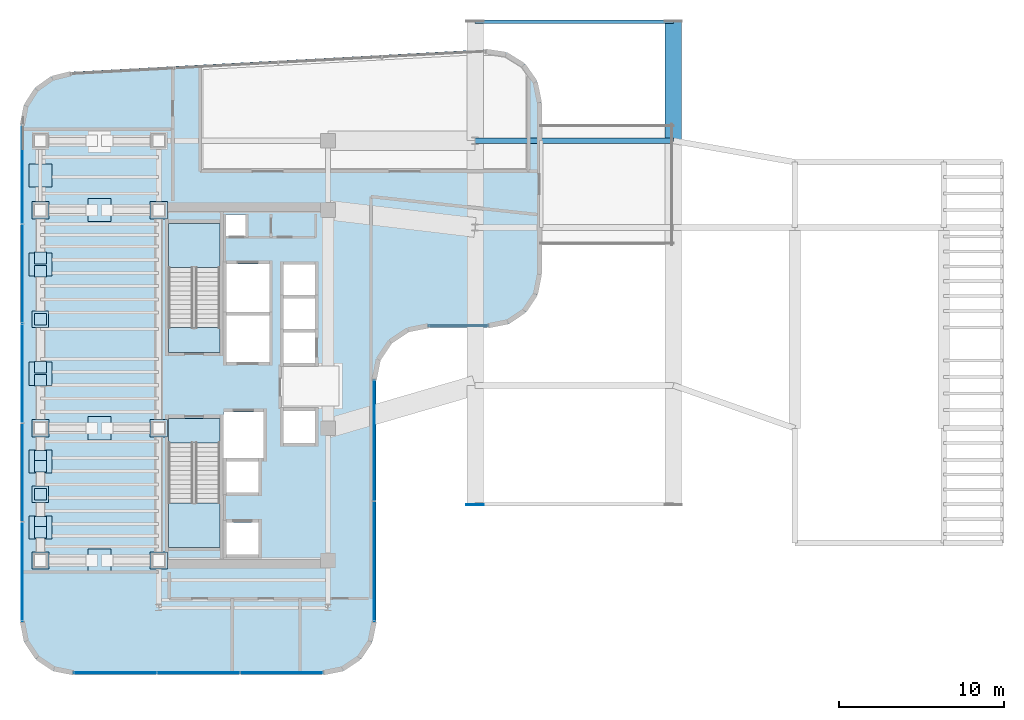
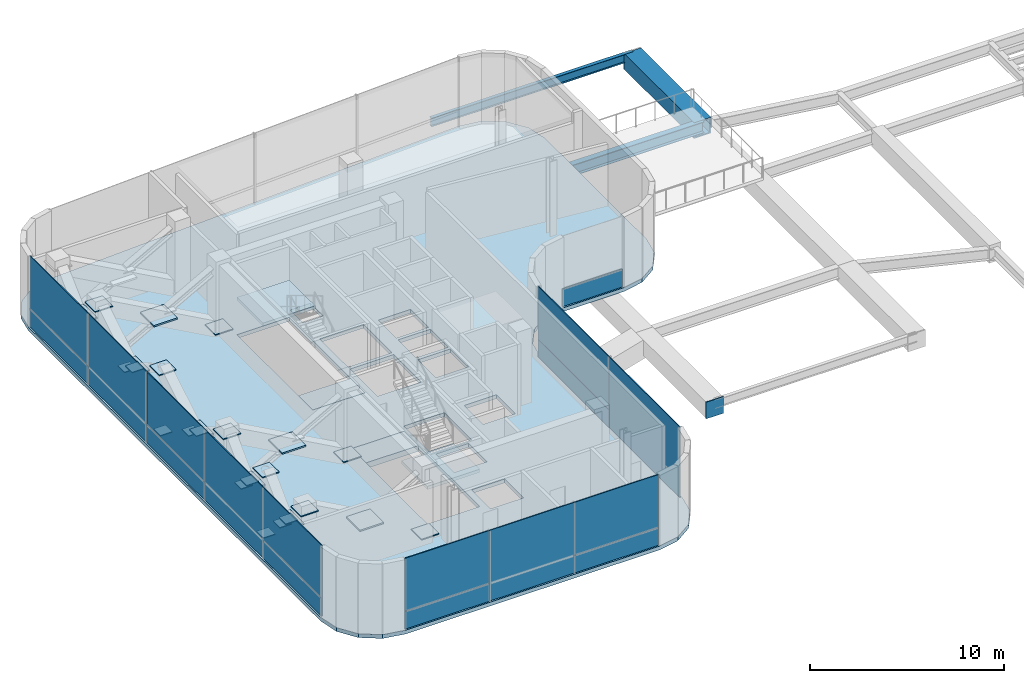
# One storey, part 15 of 20: 44 plates, 5 slabs, 3 beams, 6 elements without a shape of their own.
"""IFC4 building model written with IfcOpenShell, lengths in metres."""

from ifc_helpers import new_model, si_unit, direction, frame, origin, origin_2d, place, context, subcontext, project, spatial, polyline, rectangle, hollow_rectangle, i_section, outline, extrude, source, transform, mapped, material, layer, layer_set, material_profile, profile_set, type_object, element, aggregate, save


model = new_model("IFC4")

# Units and contexts
model_context = context("Model", 3, precision=1e-05, world=origin(), true_north=direction((0.0, 1.0)))
body_context = subcontext(model_context, "Body", "Model", "MODEL_VIEW")
ifc_project = project(units=[si_unit("LENGTHUNIT", "METRE"), si_unit("AREAUNIT", "SQUARE_METRE"), si_unit("VOLUMEUNIT", "CUBIC_METRE"), si_unit("PLANEANGLEUNIT", "RADIAN"), si_unit("MASSUNIT", "GRAM", prefix="KILO")], contexts=[model_context])

# Site, building, storey
site_placement = place(None, origin())
site = spatial("IfcSite", under=ifc_project, at=site_placement, CompositionType="ELEMENT")
building_placement = place(site_placement, origin())
building = spatial("IfcBuilding", under=site, at=building_placement, Name="Valdorenza Pilgrim Sanctuary Tower", CompositionType="ELEMENT")
storey_placement = place(building_placement, frame((0.0, 0.0, 196.300048828125)))
storey = spatial("IfcBuildingStorey", under=building, at=storey_placement, Name="L50", CompositionType="ELEMENT", Elevation=196.300048828125)

# Beams
ifc_material_1 = material(Name="Steel ASTM A572 Grade 42", Category="steel")
ifc_material_profile_1 = material_profile(ifc_material_1, hollow_rectangle(XDim=1.0, YDim=1.0, WallThickness=0.080078125, at=origin_2d()), Name="BOX 1000x1000x80")
ifc_profile_set_1 = profile_set([ifc_material_profile_1], Name="Steel ASTM A572 Grade 42")
beam_type_1 = type_object("IfcBeamType", Name="STR-BM-PROW-CANT", PredefinedType="BEAM", material=ifc_profile_set_1)
shared_shape_1 = source(origin(), body_context, "Body", "SweptSolid", [
    extrude(hollow_rectangle(XDim=1.0, YDim=1.0, WallThickness=0.080078125, at=origin_2d()), origin(), (0.0, 0.0, 1.0), 7.199951171875),
])
beam_1_placement = place(storey_placement, frame((8.5, 14.800048828125, -0.739990234375), z_axis=(0.0, 1.0, 0.0), x_axis=(-1.0, 0.0, 0.0)))
element("IfcBeam", 1, at=beam_1_placement, inside=storey, type_object=beam_type_1, Name="L50 North Sanctuary Prow Cantilever PROW-CANT-N-E", PredefinedType="BEAM", context=body_context, shape_type="MappedRepresentation", body=[
    mapped(shared_shape_1, transform((0.0, 0.0, 0.0), x_axis=(1.0, 0.0, 0.0), y_axis=(0.0, 1.0, 0.0), z_axis=(0.0, 0.0, 1.0), scale=1.0)),
])
ifc_material_2 = material(Name="Steel ASTM A992 Grade 50", Category="steel")
ifc_material_profile_2 = material_profile(ifc_material_2, i_section(OverallWidth=0.2109375, OverallDepth=0.5390625, WebThickness=0.01171875, FlangeThickness=0.018798828125, at=origin_2d()), Name="W21X73")
ifc_profile_set_2 = profile_set([ifc_material_profile_2], Name="Steel ASTM A992 Grade 50")
beam_type_2 = type_object("IfcBeamType", Name="STR-BM-SPN-W21B", PredefinedType="SPANDREL", material=ifc_profile_set_2)
shared_shape_2 = source(origin(), body_context, "Body", "SweptSolid", [
    extrude(i_section(OverallWidth=0.2109375, OverallDepth=0.5390625, WebThickness=0.01171875, FlangeThickness=0.018798828125, at=origin_2d()), origin(), (0.0, 0.0, 1.0), 12.0),
])
beam_2_placement = place(storey_placement, frame((-3.5, 22.0, -0.509521484375), z_axis=(1.0, 0.0, 0.0), x_axis=(0.0, 1.0, 0.0)))
element("IfcBeam", 2, at=beam_2_placement, inside=storey, type_object=beam_type_2, Name="L50 North Prow Tip Spandrel PROW-TIP-N", PredefinedType="SPANDREL", context=body_context, shape_type="MappedRepresentation", body=[
    mapped(shared_shape_2, transform((0.0, 0.0, 0.0), x_axis=(1.0, 0.0, 0.0), y_axis=(0.0, 1.0, 0.0), z_axis=(0.0, 0.0, 1.0), scale=1.0)),
])
ifc_material_profile_3 = material_profile(ifc_material_2, i_section(OverallWidth=0.35595703125, OverallDepth=0.700927734375, WebThickness=0.016845703125, FlangeThickness=0.02734375, at=origin_2d()), Name="W27X161")
ifc_profile_set_3 = profile_set([ifc_material_profile_3], Name="Steel ASTM A992 Grade 50")
beam_type_3 = type_object("IfcBeamType", Name="STR-BM-GRD-W27", PredefinedType="BEAM", material=ifc_profile_set_3)
shared_shape_3 = source(origin(), body_context, "Body", "SweptSolid", [
    extrude(i_section(OverallWidth=0.35595703125, OverallDepth=0.700927734375, WebThickness=0.016845703125, FlangeThickness=0.02734375, at=origin_2d()), origin(), (0.0, 0.0, 1.0), 12.0),
])
beam_3_placement = place(storey_placement, frame((-3.5, 14.800048828125, -0.590576171875), z_axis=(1.0, 0.0, 0.0), x_axis=(0.0, 1.0, 0.0)))
element("IfcBeam", 3, at=beam_3_placement, inside=storey, type_object=beam_type_3, Name="L50 Portal Bridge Span Girder PRY-G2-P14", PredefinedType="BEAM", context=body_context, shape_type="MappedRepresentation", body=[
    mapped(shared_shape_3, transform((0.0, 0.0, 0.0), x_axis=(1.0, 0.0, 0.0), y_axis=(0.0, 1.0, 0.0), z_axis=(0.0, 0.0, 1.0), scale=1.0)),
])

# Slab
ifc_material_3 = material(Name="Concrete C40/50", Category="concrete")
ifc_layer_1 = layer(ifc_material_3, 0.239990234375, Name="Concrete C40/50")
ifc_layer_set_1 = layer_set([ifc_layer_1], Name="Concrete C40/50")
slab_type_1 = type_object("IfcSlabType", Name="SLAB-PLT-240", PredefinedType="FLOOR", material=ifc_layer_set_1)
slab_1_placement = place(storey_placement, frame((0.0, 0.0, -0.239990234375)))
element("IfcSlab", 4, at=slab_1_placement, inside=storey, type_object=slab_type_1, Name="L50 Structural Floor Slab 1", PredefinedType="FLOOR", context=body_context, shape_type="SweptSolid", body=[
    extrude(outline(polyline([(-31.0, 15.76806640625), (-30.772705078125, 16.95263671875), (-30.122802734375, 17.968994140625), (-29.14306640625, 18.672607421875), (-27.972412109375, 18.96337890625), (-2.872314453125, 20.318115234375), (-1.595947265625, 20.126220703125), (-0.4990234375, 19.445556640625), (0.239501953125, 18.386962890625), (0.5, 17.12255859375), (0.5, 6.699951171875), (0.25634765625, 5.475341796875), (-0.437255859375, 4.437255859375), (-1.475341796875, 3.74365234375), (-2.699951171875, 3.5), (-6.300048828125, 3.5), (-7.524658203125, 3.25634765625), (-8.562744140625, 2.562744140625), (-9.25634765625, 1.524658203125), (-9.5, 0.300048828125), (-9.5, -14.300048828125), (-9.74365234375, -15.524658203125), (-10.437255859375, -16.562744140625), (-11.475341796875, -17.25634765625), (-12.699951171875, -17.5), (-27.800048828125, -17.5), (-29.024658203125, -17.25634765625), (-30.062744140625, -16.562744140625), (-30.75634765625, -15.524658203125), (-31.0, -14.300048828125), (-31.0, 15.76806640625)]), holes=[polyline([(-16.60009765625, -8.300048828125), (-18.550048828125, -8.300048828125), (-18.550048828125, -10.25), (-16.60009765625, -10.25), (-16.60009765625, -8.300048828125)]), polyline([(-18.93994140625, -9.800048828125), (-18.93994140625, -3.485107421875), (-18.93994140625, -2.0), (-22.050048828125, -2.0), (-22.050048828125, -3.485107421875), (-22.050048828125, -9.800048828125), (-18.93994140625, -9.800048828125)]), polyline([(-16.60009765625, -6.5), (-16.60009765625, -4.60009765625), (-18.550048828125, -4.60009765625), (-18.550048828125, -6.5), (-16.60009765625, -6.5)]), polyline([(-22.050048828125, 2.0), (-18.93994140625, 2.0), (-18.93994140625, 3.485107421875), (-18.93994140625, 9.800048828125), (-22.050048828125, 9.800048828125), (-22.050048828125, 3.485107421875), (-22.050048828125, 2.0)]), polyline([(-17.360107421875, 9.030029296875), (-17.360107421875, 10.35009765625), (-18.570068359375, 10.35009765625), (-18.570068359375, 9.030029296875), (-17.360107421875, 9.030029296875)]), polyline([(-16.300048828125, -1.60009765625), (-18.719970703125, -1.60009765625), (-18.719970703125, -4.39990234375), (-16.300048828125, -4.39990234375), (-16.300048828125, -1.60009765625)]), polyline([(-13.179931640625, -3.5), (-13.179931640625, -1.550048828125), (-15.10009765625, -1.550048828125), (-15.10009765625, -3.5), (-13.179931640625, -3.5)]), polyline([(-13.179931640625, 1.35009765625), (-13.179931640625, 3.199951171875), (-15.10009765625, 3.199951171875), (-15.10009765625, 1.35009765625), (-13.179931640625, 1.35009765625)]), polyline([(-15.949951171875, 1.39990234375), (-15.949951171875, 4.22509765625), (-18.550048828125, 4.22509765625), (-18.550048828125, 1.39990234375), (-15.949951171875, 1.39990234375)]), polyline([(-13.179931640625, 3.39990234375), (-13.179931640625, 5.25), (-15.10009765625, 5.25), (-15.10009765625, 3.39990234375), (-13.179931640625, 3.39990234375)]), polyline([(-15.949951171875, 4.425048828125), (-15.949951171875, 7.35009765625), (-18.550048828125, 7.35009765625), (-18.550048828125, 4.425048828125), (-15.949951171875, 4.425048828125)]), polyline([(-13.179931640625, 5.449951171875), (-13.179931640625, 7.300048828125), (-15.10009765625, 7.300048828125), (-15.10009765625, 5.449951171875), (-13.179931640625, 5.449951171875)])]), origin(), (0.0, 0.0, 1.0), 0.239990234375),
])

# Stair, slab
stair_type = type_object("IfcStairType", Name="STR-DOG-CORE", PredefinedType="HALF_TURN_STAIR", material=ifc_material_3)
stair_1_placement = place(storey_placement, origin())
stair_1 = element("IfcStair", 5, at=stair_1_placement, inside=storey, type_object=stair_type, Name="L50 ST-A1", PredefinedType="HALF_TURN_STAIR")
ifc_layer_2 = layer(ifc_material_3, 0.199951171875, Name="Concrete C40/50")
ifc_layer_set_2 = layer_set([ifc_layer_2], Name="Concrete C40/50")
slab_type_2 = type_object("IfcSlabType", Name="SLAB-STL-200", PredefinedType="LANDING", material=ifc_layer_set_2)
slab_2_placement = place(storey_placement, frame((0.0, 0.0, 2.14990234375)))
slab_2 = element("IfcSlab", 6, at=slab_2_placement, type_object=slab_type_2, Name="ST-A1 landing 1", PredefinedType="LANDING", context=body_context, shape_type="SweptSolid", body=[
    extrude(outline(polyline([(-18.93994140625, 7.1201171875), (-18.93994140625, 9.800048828125), (-22.050048828125, 9.800048828125), (-22.050048828125, 7.1201171875), (-18.93994140625, 7.1201171875)])), origin(), (0.0, 0.0, 1.0), 0.199951171875),
])
aggregate(stair_1, [slab_2])

stair_2_placement = place(storey_placement, origin())
stair_2 = element("IfcStair", 7, at=stair_2_placement, inside=storey, type_object=stair_type, Name="L50 ST-A2", PredefinedType="HALF_TURN_STAIR")
slab_3_placement = place(storey_placement, frame((0.0, 0.0, 2.14990234375)))
slab_3 = element("IfcSlab", 8, at=slab_3_placement, type_object=slab_type_2, Name="ST-A2 landing 1", PredefinedType="LANDING", context=body_context, shape_type="SweptSolid", body=[
    extrude(outline(polyline([(-22.050048828125, -7.1201171875), (-22.050048828125, -9.800048828125), (-18.93994140625, -9.800048828125), (-18.93994140625, -7.1201171875), (-22.050048828125, -7.1201171875)])), origin(), (0.0, 0.0, 1.0), 0.199951171875),
])
aggregate(stair_2, [slab_3])

# Slabs
ifc_material_4 = material(Name="Concrete C50/60", Category="concrete")
ifc_layer_3 = layer(ifc_material_4, 0.39990234375, Name="Concrete C50/60")
ifc_layer_set_3 = layer_set([ifc_layer_3], Name="Concrete C50/60")
slab_type_3 = type_object("IfcSlabType", Name="SLAB-TRF-400", PredefinedType="FLOOR", material=ifc_layer_set_3)
slab_4_placement = place(storey_placement, frame((0.0, 0.0, -0.360107421875)))
element("IfcSlab", 9, at=slab_4_placement, inside=storey, type_object=slab_type_3, Name="L50 ST-A1 Structural Stair Landing Bearing Slab", PredefinedType="FLOOR", context=body_context, shape_type="SweptSolid", body=[
    extrude(outline(polyline([(-22.050048828125, 2.0), (-18.93994140625, 2.0), (-18.93994140625, 3.485107421875), (-22.050048828125, 3.485107421875), (-22.050048828125, 2.0)])), origin(), (0.0, 0.0, 1.0), 0.360107421875),
])
slab_5_placement = place(storey_placement, frame((0.0, 0.0, -0.360107421875)))
element("IfcSlab", 10, at=slab_5_placement, inside=storey, type_object=slab_type_3, Name="L50 ST-A2 Structural Stair Landing Bearing Slab", PredefinedType="FLOOR", context=body_context, shape_type="SweptSolid", body=[
    extrude(outline(polyline([(-22.050048828125, -3.485107421875), (-18.93994140625, -3.485107421875), (-18.93994140625, -2.0), (-22.050048828125, -2.0), (-22.050048828125, -3.485107421875)])), origin(), (0.0, 0.0, 1.0), 0.360107421875),
])

# Plates
ifc_layer_4 = layer(ifc_material_1, 0.06005859375, Name="Steel ASTM A572 Grade 42")
ifc_layer_set_4 = layer_set([ifc_layer_4], Name="Steel ASTM A572 Grade 42")
plate_type_1 = type_object("IfcPlateType", Name="PLT-CAP-60", PredefinedType="SHEET", material=ifc_layer_set_4)
shared_shape_4 = source(origin(), body_context, "Body", "SweptSolid", [
    extrude(rectangle(XDim=1.0400390625, YDim=0.06005859375, at=origin_2d()), origin(), (0.0, 0.0, 1.0), 1.0400390625),
])
plate_1_placement = place(storey_placement, frame((-3.5, -7.22998046875, -1.260009765625), z_axis=(0.0, 0.0, 1.0), x_axis=(1.0, 0.0, 0.0)))
element("IfcPlate", 11, at=plate_1_placement, inside=storey, type_object=plate_type_1, Name="L50 South Prow Cantilever End Cap W", PredefinedType="SHEET", context=body_context, shape_type="MappedRepresentation", body=[
    mapped(shared_shape_4, transform((0.0, 0.0, 0.0), x_axis=(1.0, 0.0, 0.0), y_axis=(0.0, 1.0, 0.0), z_axis=(0.0, 0.0, 1.0), scale=1.0)),
])
shared_shape_5 = source(origin(), body_context, "Body", "SweptSolid", [
    extrude(rectangle(XDim=1.050048828125, YDim=1.050048828125, at=origin_2d()), origin(), (0.0, 0.0, 1.0), 0.06005859375),
])
for number, where, z_axis, x_axis, name in (
    (12, (-22.64990234375, -10.60009765625, 0.169921875), (0.0, 0.0, 1.0), (1.0, 0.0, 0.0), "L50 Outrigger Truss Diagonal WA1A End Connection Plate 1"),
    (13, (-29.800048828125, -10.60009765625, 4.119873046875), (0.0, 0.0, 1.0), (1.0, 0.0, 0.0), "L50 Outrigger Truss Diagonal WA1A End Connection Plate 2"),
    (14, (-22.64990234375, -2.60009765625, 0.169921875), (0.0, 0.0, 1.0), (1.0, 0.0, 0.0), "L50 Outrigger Truss Diagonal WA2A End Connection Plate 1"),
    (15, (-29.800048828125, -2.60009765625, 4.119873046875), (0.0, 0.0, 1.0), (1.0, 0.0, 0.0), "L50 Outrigger Truss Diagonal WA2A End Connection Plate 2"),
    (16, (-22.64990234375, 10.60009765625, 0.169921875), (0.0, 0.0, 1.0), (1.0, 0.0, 0.0), "L50 Outrigger Truss Diagonal WA3A End Connection Plate 1"),
    (17, (-29.800048828125, 10.60009765625, 4.119873046875), (0.0, 0.0, 1.0), (1.0, 0.0, 0.0), "L50 Outrigger Truss Diagonal WA3A End Connection Plate 2"),
):
    element("IfcPlate", number, at=place(storey_placement, frame(where, z_axis=z_axis, x_axis=x_axis)), inside=storey, type_object=plate_type_1, Name=name, PredefinedType="SHEET", context=body_context, shape_type="MappedRepresentation", body=[
        mapped(shared_shape_5, transform((0.0, 0.0, 0.0), x_axis=(1.0, 0.0, 0.0), y_axis=(0.0, 1.0, 0.0), z_axis=(0.0, 0.0, 1.0), scale=1.0)),
    ])
ifc_layer_5 = layer(ifc_material_1, 0.090087890625, Name="Steel ASTM A572 Grade 42")
ifc_layer_set_5 = layer_set([ifc_layer_5], Name="Steel ASTM A572 Grade 42")
plate_type_2 = type_object("IfcPlateType", Name="PLT-GUS-90", PredefinedType="USERDEFINED", material=ifc_layer_set_5)
shared_shape_6 = source(origin(), body_context, "Body", "SweptSolid", [
    extrude(rectangle(XDim=1.39990234375, YDim=1.39990234375, at=origin_2d()), origin(), (0.0, 0.0, 1.0), 0.090087890625),
])
for number, where, z_axis, x_axis, name in (
    (18, (-26.22509765625, -10.60009765625, 2.1298828125), (0.0, 0.0, 1.0), (1.0, 0.0, 0.0), "Truss X-Brace Node Gusset Assembly ON-01 (MB-OUT-L50-WA1A)"),
    (19, (-26.22509765625, -2.60009765625, 2.1298828125), (0.0, 0.0, 1.0), (1.0, 0.0, 0.0), "Truss X-Brace Node Gusset Assembly ON-01 (MB-OUT-L50-WA2A)"),
    (20, (-26.22509765625, 10.60009765625, 2.1298828125), (0.0, 0.0, 1.0), (1.0, 0.0, 0.0), "Truss X-Brace Node Gusset Assembly ON-01 (MB-OUT-L50-WA3A)"),
    (21, (-29.800048828125, -8.60009765625, 2.1298828125), (0.0, 0.0, 1.0), (1.0, 0.0, 0.0), "Truss X-Brace Node Gusset Assembly BN-01 (MB-BLT-L50-W1)"),
    (22, (-29.800048828125, -4.60009765625, 2.1298828125), (0.0, 0.0, 1.0), (1.0, 0.0, 0.0), "Truss X-Brace Node Gusset Assembly BN-01 (MB-BLT-L50-W2)"),
    (23, (-29.800048828125, 0.699951171875, 2.1298828125), (0.0, 0.0, 1.0), (1.0, 0.0, 0.0), "Truss X-Brace Node Gusset Assembly BN-01 (MB-BLT-L50-W3)"),
    (24, (-29.800048828125, 7.300048828125, 2.1298828125), (0.0, 0.0, 1.0), (1.0, 0.0, 0.0), "Truss X-Brace Node Gusset Assembly BN-01 (MB-BLT-L50-W4)"),
    (25, (-29.800048828125, 12.699951171875, 2.1298828125), (0.0, 0.0, 1.0), (1.0, 0.0, 0.0), "Truss Node Gusset Assembly BN-01 (MB-BLT-L50-W5)"),
):
    element("IfcPlate", number, at=place(storey_placement, frame(where, z_axis=z_axis, x_axis=x_axis)), inside=storey, type_object=plate_type_2, Name=name, ObjectType="GUSSET PLATE", PredefinedType="USERDEFINED", context=body_context, shape_type="MappedRepresentation", body=[
        mapped(shared_shape_6, transform((0.0, 0.0, 0.0), x_axis=(1.0, 0.0, 0.0), y_axis=(0.0, 1.0, 0.0), z_axis=(0.0, 0.0, 1.0), scale=1.0)),
    ])
shared_shape_7 = source(origin(), body_context, "Body", "SweptSolid", [
    extrude(rectangle(XDim=1.0, YDim=1.0, at=origin_2d()), origin(), (0.0, 0.0, 1.0), 0.06005859375),
])
for number, where, z_axis, x_axis, name in (
    (26, (-29.800048828125, -6.60009765625, 4.119873046875), (0.0, 0.0, 1.0), (1.0, 0.0, 0.0), "L50 Perimeter Belt Truss Diagonal W1 End Connection Plate 2"),
    (27, (-29.800048828125, 4.0, 4.119873046875), (0.0, 0.0, 1.0), (1.0, 0.0, 0.0), "L50 Perimeter Belt Truss Diagonal W3 End Connection Plate 2"),
):
    element("IfcPlate", number, at=place(storey_placement, frame(where, z_axis=z_axis, x_axis=x_axis)), inside=storey, type_object=plate_type_1, Name=name, PredefinedType="SHEET", context=body_context, shape_type="MappedRepresentation", body=[
        mapped(shared_shape_7, transform((0.0, 0.0, 0.0), x_axis=(1.0, 0.0, 0.0), y_axis=(0.0, 1.0, 0.0), z_axis=(0.0, 0.0, 1.0), scale=1.0)),
    ])
shared_shape_8 = source(origin(), body_context, "Body", "SweptSolid", [
    extrude(rectangle(XDim=0.7080078125, YDim=0.7080078125, at=origin_2d()), origin(), (0.0, 0.0, 1.0), 0.06005859375),
])
for number, where, z_axis, x_axis, name in (
    (28, (-29.800048828125, -8.893310546875, 2.434326171875), (0.0, 0.0, 1.0), (1.0, 0.0, 0.0), "L50 Perimeter Counter-Belt Strut CW1 Lower Segment End Connection Plate 2"),
    (29, (-29.800048828125, -8.306884765625, 1.85546875), (0.0, 0.0, 1.0), (1.0, 0.0, 0.0), "L50 Perimeter Counter-Belt Strut CW1 Upper Segment End Connection Plate 1"),
    (30, (-29.800048828125, -6.60009765625, 0.169921875), (0.0, 0.0, 1.0), (1.0, 0.0, 0.0), "L50 Perimeter Counter-Belt Strut CW1 Upper Segment End Connection Plate 2"),
    (31, (-29.800048828125, -4.893310546875, 2.434326171875), (0.0, 0.0, 1.0), (1.0, 0.0, 0.0), "L50 Perimeter Counter-Belt Strut CW2 Lower Segment End Connection Plate 2"),
    (32, (-29.800048828125, -4.306884765625, 1.85546875), (0.0, 0.0, 1.0), (1.0, 0.0, 0.0), "L50 Perimeter Counter-Belt Strut CW2 Upper Segment End Connection Plate 1"),
    (33, (-29.800048828125, 0.30029296875, 2.38427734375), (0.0, 0.0, 1.0), (1.0, 0.0, 0.0), "L50 Perimeter Counter-Belt Strut CW3 Lower Segment End Connection Plate 2"),
    (34, (-29.800048828125, 1.099853515625, 1.905517578125), (0.0, 0.0, 1.0), (1.0, 0.0, 0.0), "L50 Perimeter Counter-Belt Strut CW3 Upper Segment End Connection Plate 1"),
    (35, (-29.800048828125, 4.0, 0.169921875), (0.0, 0.0, 1.0), (1.0, 0.0, 0.0), "L50 Perimeter Counter-Belt Strut CW3 Upper Segment End Connection Plate 2"),
    (36, (-29.800048828125, 6.900146484375, 2.38427734375), (0.0, 0.0, 1.0), (1.0, 0.0, 0.0), "L50 Perimeter Counter-Belt Strut CW4 Lower Segment End Connection Plate 2"),
    (37, (-29.800048828125, 7.69970703125, 1.905517578125), (0.0, 0.0, 1.0), (1.0, 0.0, 0.0), "L50 Perimeter Counter-Belt Strut CW4 Upper Segment End Connection Plate 1"),
):
    element("IfcPlate", number, at=place(storey_placement, frame(where, z_axis=z_axis, x_axis=x_axis)), inside=storey, type_object=plate_type_1, Name=name, PredefinedType="SHEET", context=body_context, shape_type="MappedRepresentation", body=[
        mapped(shared_shape_8, transform((0.0, 0.0, 0.0), x_axis=(1.0, 0.0, 0.0), y_axis=(0.0, 1.0, 0.0), z_axis=(0.0, 0.0, 1.0), scale=1.0)),
    ])

# Curtain wall, plates
ifc_material_5 = material(Name="Curtain-wall IGU glazing", Category="glass")
curtain_wall_type = type_object("IfcCurtainWallType", Name="CW-SYS-02", PredefinedType="NOTDEFINED", material=ifc_material_5)
curtain_wall_1_placement = place(storey_placement, origin())
curtain_wall_1 = element("IfcCurtainWall", 38, at=curtain_wall_1_placement, inside=storey, type_object=curtain_wall_type, Name="L50 Curtain Wall CW-L50-1-26", PredefinedType="NOTDEFINED")
ifc_material_6 = material(Name="Honed travertine limestone", Category="masonry")
ifc_layer_6 = layer(ifc_material_6, 0.050048828125, Name="Honed travertine limestone")
ifc_layer_set_6 = layer_set([ifc_layer_6], Name="Honed travertine limestone")
plate_type_3 = type_object("IfcPlateType", Name="CW-SPN-TRV", PredefinedType="USERDEFINED", material=ifc_layer_set_6)
shared_shape_9 = source(origin(), body_context, "Body", "SweptSolid", [
    extrude(rectangle(XDim=5.006103515625, YDim=0.06005859375, at=origin_2d()), origin(), (0.0, 0.0, 1.0), 1.10009765625),
])
plate_2_placement = place(storey_placement, frame((-15.223876953125, -17.389892578125, 0.010009765625), z_axis=(0.0, 0.0, 1.0), x_axis=(-1.0, 0.0, 0.0)))
plate_2 = element("IfcPlate", 39, at=plate_2_placement, type_object=plate_type_3, Name="CW-L50-1-26 Travertine Spandrel 1", ObjectType="SPANDREL", PredefinedType="USERDEFINED", context=body_context, shape_type="MappedRepresentation", body=[
    mapped(shared_shape_9, transform((0.0, 0.0, 0.0), x_axis=(1.0, 0.0, 0.0), y_axis=(0.0, 1.0, 0.0), z_axis=(0.0, 0.0, 1.0), scale=1.0)),
])
plate_3_placement = place(storey_placement, frame((-25.276123046875, -17.389892578125, 0.010009765625), z_axis=(0.0, 0.0, 1.0), x_axis=(-1.0, 0.0, 0.0)))
plate_3 = element("IfcPlate", 40, at=plate_3_placement, type_object=plate_type_3, Name="CW-L50-1-26 Travertine Spandrel 3", ObjectType="SPANDREL", PredefinedType="USERDEFINED", context=body_context, shape_type="MappedRepresentation", body=[
    mapped(shared_shape_9, transform((0.0, 0.0, 0.0), x_axis=(1.0, 0.0, 0.0), y_axis=(0.0, 1.0, 0.0), z_axis=(0.0, 0.0, 1.0), scale=1.0)),
])

curtain_wall_2_placement = place(storey_placement, origin())
curtain_wall_2 = element("IfcCurtainWall", 41, at=curtain_wall_2_placement, inside=storey, type_object=curtain_wall_type, Name="L50 Curtain Wall CW-L50-1-1", PredefinedType="NOTDEFINED")
shared_shape_10 = source(origin(), body_context, "Body", "SweptSolid", [
    extrude(rectangle(XDim=5.9892578125, YDim=0.06005859375, at=origin_2d()), origin(), (0.0, 0.0, 1.0), 1.10009765625),
])
plate_4_placement = place(storey_placement, frame((-30.889892578125, -11.284423828125, 0.010009765625), z_axis=(0.0, 0.0, 1.0), x_axis=(0.0, 1.0, 0.0)))
plate_4 = element("IfcPlate", 42, at=plate_4_placement, type_object=plate_type_3, Name="CW-L50-1-1 Travertine Spandrel 1", ObjectType="SPANDREL", PredefinedType="USERDEFINED", context=body_context, shape_type="MappedRepresentation", body=[
    mapped(shared_shape_10, transform((0.0, 0.0, 0.0), x_axis=(1.0, 0.0, 0.0), y_axis=(0.0, 1.0, 0.0), z_axis=(0.0, 0.0, 1.0), scale=1.0)),
])
plate_5_placement = place(storey_placement, frame((-30.889892578125, 0.734130859375, 0.010009765625), z_axis=(0.0, 0.0, 1.0), x_axis=(0.0, 1.0, 0.0)))
plate_5 = element("IfcPlate", 43, at=plate_5_placement, type_object=plate_type_3, Name="CW-L50-1-1 Travertine Spandrel 3", ObjectType="SPANDREL", PredefinedType="USERDEFINED", context=body_context, shape_type="MappedRepresentation", body=[
    mapped(shared_shape_10, transform((0.0, 0.0, 0.0), x_axis=(1.0, 0.0, 0.0), y_axis=(0.0, 1.0, 0.0), z_axis=(0.0, 0.0, 1.0), scale=1.0)),
])
plate_6_placement = place(storey_placement, frame((-30.889892578125, 12.752685546875, 0.010009765625), z_axis=(0.0, 0.0, 1.0), x_axis=(0.0, 1.0, 0.0)))
plate_6 = element("IfcPlate", 44, at=plate_6_placement, type_object=plate_type_3, Name="CW-L50-1-1 Travertine Spandrel 5", ObjectType="SPANDREL", PredefinedType="USERDEFINED", context=body_context, shape_type="MappedRepresentation", body=[
    mapped(shared_shape_10, transform((0.0, 0.0, 0.0), x_axis=(1.0, 0.0, 0.0), y_axis=(0.0, 1.0, 0.0), z_axis=(0.0, 0.0, 1.0), scale=1.0)),
])
ifc_material_7 = material(Name="Champagne anodised aluminium", Category="aluminium")
ifc_layer_7 = layer(ifc_material_7, 0.080078125, Name="Champagne anodised aluminium")
ifc_layer_set_7 = layer_set([ifc_layer_7], Name="Champagne anodised aluminium")
plate_type_4 = type_object("IfcPlateType", Name="LVR-PLT-ALU", PredefinedType="USERDEFINED", material=ifc_layer_set_7)
shared_shape_11 = source(origin(), body_context, "Body", "SweptSolid", [
    extrude(rectangle(XDim=5.9892578125, YDim=0.050048828125, at=origin_2d()), origin(), (0.0, 0.0, 1.0), 3.320068359375),
])
plate_7_placement = place(storey_placement, frame((-30.889892578125, -11.284423828125, 1.1298828125), z_axis=(0.0, 0.0, 1.0), x_axis=(0.0, 1.0, 0.0)))
plate_7 = element("IfcPlate", 45, at=plate_7_placement, type_object=plate_type_4, Name="CW-L50-1-1 Facade Panel 1", ObjectType="LOUVRE", PredefinedType="USERDEFINED", context=body_context, shape_type="MappedRepresentation", body=[
    mapped(shared_shape_11, transform((0.0, 0.0, 0.0), x_axis=(1.0, 0.0, 0.0), y_axis=(0.0, 1.0, 0.0), z_axis=(0.0, 0.0, 1.0), scale=1.0)),
])
plate_8_placement = place(storey_placement, frame((-30.889892578125, 0.734130859375, 1.1298828125), z_axis=(0.0, 0.0, 1.0), x_axis=(0.0, 1.0, 0.0)))
plate_8 = element("IfcPlate", 46, at=plate_8_placement, type_object=plate_type_4, Name="CW-L50-1-1 Facade Panel 3", ObjectType="LOUVRE", PredefinedType="USERDEFINED", context=body_context, shape_type="MappedRepresentation", body=[
    mapped(shared_shape_11, transform((0.0, 0.0, 0.0), x_axis=(1.0, 0.0, 0.0), y_axis=(0.0, 1.0, 0.0), z_axis=(0.0, 0.0, 1.0), scale=1.0)),
])
plate_9_placement = place(storey_placement, frame((-30.889892578125, 12.752685546875, 1.1298828125), z_axis=(0.0, 0.0, 1.0), x_axis=(0.0, 1.0, 0.0)))
plate_9 = element("IfcPlate", 47, at=plate_9_placement, type_object=plate_type_4, Name="CW-L50-1-1 Facade Panel 5", ObjectType="LOUVRE", PredefinedType="USERDEFINED", context=body_context, shape_type="MappedRepresentation", body=[
    mapped(shared_shape_11, transform((0.0, 0.0, 0.0), x_axis=(1.0, 0.0, 0.0), y_axis=(0.0, 1.0, 0.0), z_axis=(0.0, 0.0, 1.0), scale=1.0)),
])
shared_shape_12 = source(origin(), body_context, "Body", "SweptSolid", [
    extrude(rectangle(XDim=5.9892578125, YDim=0.050048828125, at=origin_2d()), origin(), (0.0, 0.0, 1.0), 4.43994140625),
])
plate_10_placement = place(storey_placement, frame((-30.889892578125, -5.275146484375, 0.010009765625), z_axis=(0.0, 0.0, 1.0), x_axis=(0.0, 1.0, 0.0)))
plate_10 = element("IfcPlate", 48, at=plate_10_placement, type_object=plate_type_4, Name="CW-L50-1-1 Full-Height Facade Panel 2", ObjectType="LOUVRE", PredefinedType="USERDEFINED", context=body_context, shape_type="MappedRepresentation", body=[
    mapped(shared_shape_12, transform((0.0, 0.0, 0.0), x_axis=(1.0, 0.0, 0.0), y_axis=(0.0, 1.0, 0.0), z_axis=(0.0, 0.0, 1.0), scale=1.0)),
])
plate_11_placement = place(storey_placement, frame((-30.889892578125, 6.743408203125, 0.010009765625), z_axis=(0.0, 0.0, 1.0), x_axis=(0.0, 1.0, 0.0)))
plate_11 = element("IfcPlate", 49, at=plate_11_placement, type_object=plate_type_4, Name="CW-L50-1-1 Full-Height Facade Panel 4", ObjectType="LOUVRE", PredefinedType="USERDEFINED", context=body_context, shape_type="MappedRepresentation", body=[
    mapped(shared_shape_12, transform((0.0, 0.0, 0.0), x_axis=(1.0, 0.0, 0.0), y_axis=(0.0, 1.0, 0.0), z_axis=(0.0, 0.0, 1.0), scale=1.0)),
])
aggregate(curtain_wall_2, [plate_4, plate_7, plate_10, plate_5, plate_8, plate_11, plate_6, plate_9])

# Curtain wall, plate
curtain_wall_3_placement = place(storey_placement, origin())
curtain_wall_3 = element("IfcCurtainWall", 50, at=curtain_wall_3_placement, inside=storey, type_object=curtain_wall_type, Name="L50 Curtain Wall CW-L50-1-16", PredefinedType="NOTDEFINED")
shared_shape_13 = source(origin(), body_context, "Body", "SweptSolid", [
    extrude(rectangle(XDim=3.580078125, YDim=0.06005859375, at=origin_2d()), origin(), (0.0, 0.0, 1.0), 1.10009765625),
])
plate_12_placement = place(storey_placement, frame((-4.5107421875, 3.610107421875, 0.010009765625), z_axis=(0.0, 0.0, 1.0), x_axis=(-1.0, 0.0, 0.0)))
plate_12 = element("IfcPlate", 51, at=plate_12_placement, type_object=plate_type_3, Name="CW-L50-1-16 Travertine Spandrel 1", ObjectType="SPANDREL", PredefinedType="USERDEFINED", context=body_context, shape_type="MappedRepresentation", body=[
    mapped(shared_shape_13, transform((0.0, 0.0, 0.0), x_axis=(1.0, 0.0, 0.0), y_axis=(0.0, 1.0, 0.0), z_axis=(0.0, 0.0, 1.0), scale=1.0)),
])
aggregate(curtain_wall_3, [plate_12])

# Curtain wall, plates
curtain_wall_4_placement = place(storey_placement, origin())
curtain_wall_4 = element("IfcCurtainWall", 52, at=curtain_wall_4_placement, inside=storey, type_object=curtain_wall_type, Name="L50 Curtain Wall CW-L50-1-21", PredefinedType="NOTDEFINED")
shared_shape_14 = source(origin(), body_context, "Body", "SweptSolid", [
    extrude(rectangle(XDim=7.280029296875, YDim=0.06005859375, at=origin_2d()), origin(), (0.0, 0.0, 1.0), 1.10009765625),
])
plate_13_placement = place(storey_placement, frame((-9.610107421875, -3.339111328125, 0.010009765625), z_axis=(0.0, 0.0, 1.0), x_axis=(0.0, -1.0, 0.0)))
plate_13 = element("IfcPlate", 53, at=plate_13_placement, type_object=plate_type_3, Name="CW-L50-1-21 Travertine Spandrel 1", ObjectType="SPANDREL", PredefinedType="USERDEFINED", context=body_context, shape_type="MappedRepresentation", body=[
    mapped(shared_shape_14, transform((0.0, 0.0, 0.0), x_axis=(1.0, 0.0, 0.0), y_axis=(0.0, 1.0, 0.0), z_axis=(0.0, 0.0, 1.0), scale=1.0)),
])
shared_shape_15 = source(origin(), body_context, "Body", "SweptSolid", [
    extrude(rectangle(XDim=7.280029296875, YDim=0.050048828125, at=origin_2d()), origin(), (0.0, 0.0, 1.0), 3.320068359375),
])
plate_14_placement = place(storey_placement, frame((-9.610107421875, -3.339111328125, 1.1298828125), z_axis=(0.0, 0.0, 1.0), x_axis=(0.0, -1.0, 0.0)))
plate_14 = element("IfcPlate", 54, at=plate_14_placement, type_object=plate_type_4, Name="CW-L50-1-21 Facade Panel 1", ObjectType="LOUVRE", PredefinedType="USERDEFINED", context=body_context, shape_type="MappedRepresentation", body=[
    mapped(shared_shape_15, transform((0.0, 0.0, 0.0), x_axis=(1.0, 0.0, 0.0), y_axis=(0.0, 1.0, 0.0), z_axis=(0.0, 0.0, 1.0), scale=1.0)),
])
shared_shape_16 = source(origin(), body_context, "Body", "SweptSolid", [
    extrude(rectangle(XDim=7.280029296875, YDim=0.050048828125, at=origin_2d()), origin(), (0.0, 0.0, 1.0), 4.43994140625),
])
plate_15_placement = place(storey_placement, frame((-9.610107421875, -10.63916015625, 0.010009765625), z_axis=(0.0, 0.0, 1.0), x_axis=(0.0, -1.0, 0.0)))
plate_15 = element("IfcPlate", 55, at=plate_15_placement, type_object=plate_type_4, Name="CW-L50-1-21 Full-Height Facade Panel 2", ObjectType="LOUVRE", PredefinedType="USERDEFINED", context=body_context, shape_type="MappedRepresentation", body=[
    mapped(shared_shape_16, transform((0.0, 0.0, 0.0), x_axis=(1.0, 0.0, 0.0), y_axis=(0.0, 1.0, 0.0), z_axis=(0.0, 0.0, 1.0), scale=1.0)),
])
aggregate(curtain_wall_4, [plate_13, plate_14, plate_15])

# Plate
shared_shape_17 = source(origin(), body_context, "Body", "SweptSolid", [
    extrude(rectangle(XDim=5.006103515625, YDim=0.050048828125, at=origin_2d()), origin(), (0.0, 0.0, 1.0), 3.320068359375),
])
plate_16_placement = place(storey_placement, frame((-15.223876953125, -17.389892578125, 1.1298828125), z_axis=(0.0, 0.0, 1.0), x_axis=(-1.0, 0.0, 0.0)))
plate_16 = element("IfcPlate", 56, at=plate_16_placement, type_object=plate_type_4, Name="CW-L50-1-26 Facade Panel 1", ObjectType="LOUVRE", PredefinedType="USERDEFINED", context=body_context, shape_type="MappedRepresentation", body=[
    mapped(shared_shape_17, transform((0.0, 0.0, 0.0), x_axis=(1.0, 0.0, 0.0), y_axis=(0.0, 1.0, 0.0), z_axis=(0.0, 0.0, 1.0), scale=1.0)),
])

plate_17_placement = place(storey_placement, frame((-25.276123046875, -17.389892578125, 1.1298828125), z_axis=(0.0, 0.0, 1.0), x_axis=(-1.0, 0.0, 0.0)))
plate_17 = element("IfcPlate", 57, at=plate_17_placement, type_object=plate_type_4, Name="CW-L50-1-26 Facade Panel 3", ObjectType="LOUVRE", PredefinedType="USERDEFINED", context=body_context, shape_type="MappedRepresentation", body=[
    mapped(shared_shape_17, transform((0.0, 0.0, 0.0), x_axis=(1.0, 0.0, 0.0), y_axis=(0.0, 1.0, 0.0), z_axis=(0.0, 0.0, 1.0), scale=1.0)),
])

shared_shape_18 = source(origin(), body_context, "Body", "SweptSolid", [
    extrude(rectangle(XDim=5.006103515625, YDim=0.050048828125, at=origin_2d()), origin(), (0.0, 0.0, 1.0), 4.43994140625),
])
plate_18_placement = place(storey_placement, frame((-20.25, -17.389892578125, 0.010009765625), z_axis=(0.0, 0.0, 1.0), x_axis=(-1.0, 0.0, 0.0)))
plate_18 = element("IfcPlate", 58, at=plate_18_placement, type_object=plate_type_4, Name="CW-L50-1-26 Full-Height Facade Panel 2", ObjectType="LOUVRE", PredefinedType="USERDEFINED", context=body_context, shape_type="MappedRepresentation", body=[
    mapped(shared_shape_18, transform((0.0, 0.0, 0.0), x_axis=(1.0, 0.0, 0.0), y_axis=(0.0, 1.0, 0.0), z_axis=(0.0, 0.0, 1.0), scale=1.0)),
])

aggregate(curtain_wall_1, [plate_2, plate_16, plate_18, plate_3, plate_17])

save(model, "model.ifc")
